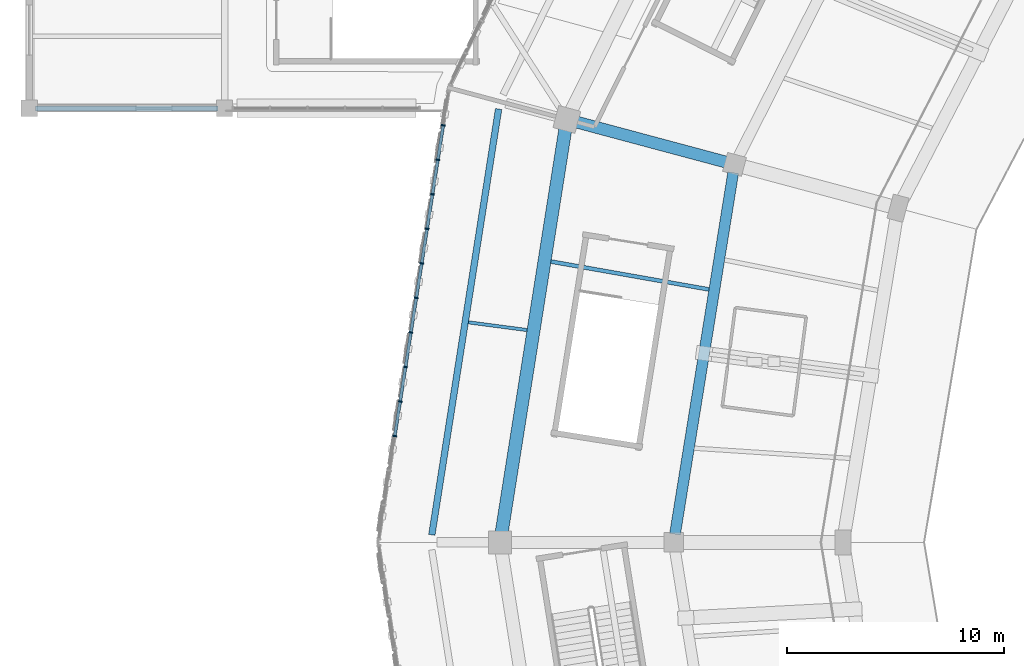
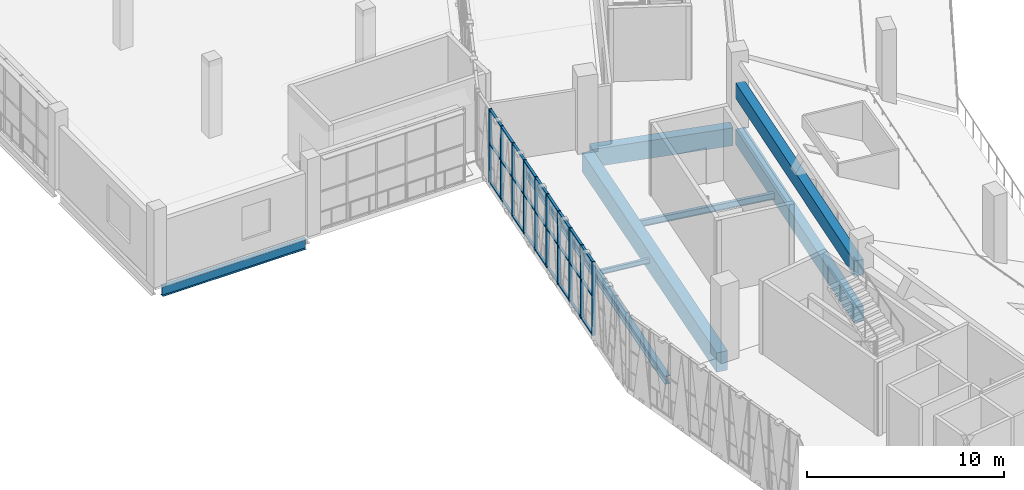
# One storey, part 21 of 152: 37 members, 8 beams, 1 element without a shape of its own.
"""IFC4 building model written with IfcOpenShell, lengths in metres."""

from ifc_helpers import new_model, si_unit, direction, frame, origin, origin_2d, place, context, subcontext, project, spatial, rectangle, i_section, extrude, material, material_profile, profile_set, type_object, element, aggregate, save


model = new_model("IFC4")

# Units and contexts
model_context = context("Model", 3, precision=1e-05, world=origin(), true_north=direction((0.0, 1.0)))
body_context = subcontext(model_context, "Body", "Model", "MODEL_VIEW")
ifc_project = project(units=[si_unit("LENGTHUNIT", "METRE"), si_unit("AREAUNIT", "SQUARE_METRE"), si_unit("VOLUMEUNIT", "CUBIC_METRE"), si_unit("PLANEANGLEUNIT", "RADIAN"), si_unit("MASSUNIT", "GRAM", prefix="KILO")], contexts=[model_context])

# Site, building, storey
site_placement = place(None, origin())
site = spatial("IfcSite", under=ifc_project, at=site_placement, CompositionType="ELEMENT")
building_placement = place(site_placement, origin())
building = spatial("IfcBuilding", under=site, at=building_placement, Name="Zevraka Park Crest Stadium", CompositionType="ELEMENT")
storey_placement = place(building_placement, frame((0.0, 0.0, 15.0)))
storey = spatial("IfcBuildingStorey", under=building, at=storey_placement, Name="L03", CompositionType="ELEMENT", Elevation=15.0)

# Beams
ifc_material_1 = material(Name="Concrete C40/50", Category="concrete")
ifc_material_profile_1 = material_profile(ifc_material_1, rectangle(XDim=0.550048828125, YDim=1.10009765625, at=origin_2d()), Name="RC 1100x550")
ifc_profile_set_1 = profile_set([ifc_material_profile_1], Name="Concrete C40/50")
beam_type_1 = type_object("IfcBeamType", Name="BG02", PredefinedType="BEAM", material=ifc_profile_set_1)
beam_1_placement = place(storey_placement, frame((32.214111328125, 109.4970703125, -0.56005859375), z_axis=(-0.965968812251, 0.258658565986, 0.0), x_axis=(-0.258658565986, -0.965968812251, 0.0)))
element("IfcBeam", 1, at=beam_1_placement, inside=storey, type_object=beam_type_1, Name="Radial Girder BG02 L03-CD-11", PredefinedType="BEAM", context=body_context, shape_type="SweptSolid", body=[
    extrude(rectangle(XDim=0.550048828125, YDim=1.10009765625, at=origin_2d()), origin(), (0.0, 0.0, 1.0), 7.39892578125),
])
ifc_material_2 = material(Name="Steel S355", Category="steel")
ifc_material_profile_2 = material_profile(ifc_material_2, i_section(OverallWidth=0.22900390625, OverallDepth=0.612060546875, WebThickness=0.011962890625, FlangeThickness=0.01953125, at=origin_2d()), Name="UKB 610x229x125")
ifc_profile_set_2 = profile_set([ifc_material_profile_2], Name="Steel S355")
beam_type_2 = type_object("IfcBeamType", Name="BG09", PredefinedType="BEAM", material=ifc_profile_set_2)
beam_2_placement = place(storey_placement, frame((0.300048828125, 112.0, -0.614013671875), z_axis=(1.0, 0.0, 0.0), x_axis=(0.0, 1.0, 0.0)))
element("IfcBeam", 2, at=beam_2_placement, inside=storey, type_object=beam_type_2, Name="Wing Girder BG09 L03-12/N", PredefinedType="BEAM", context=body_context, shape_type="SweptSolid", body=[
    extrude(i_section(OverallWidth=0.22900390625, OverallDepth=0.612060546875, WebThickness=0.011962890625, FlangeThickness=0.01953125, at=origin_2d()), origin(), (0.0, 0.0, 1.0), 8.39990234375),
])

# Curtain wall, members
ifc_material_3 = material(Name="Anodised architectural aluminium and laminated safety glass", Category="aluminium")
curtain_wall_type = type_object("IfcCurtainWallType", Name="CW11", PredefinedType="NOTDEFINED", material=ifc_material_3)
curtain_wall_placement = place(storey_placement, origin())
curtain_wall = element("IfcCurtainWall", 3, at=curtain_wall_placement, inside=storey, type_object=curtain_wall_type, Name="Unitised Ring Curtain Wall CW11 L03-11", PredefinedType="NOTDEFINED")
ifc_material_4 = material(Name="Anodised architectural aluminium", Category="aluminium")
ifc_material_profile_3 = material_profile(ifc_material_4, rectangle(XDim=0.179931640625, YDim=0.06494140625, at=origin_2d()), Name="ALU MULLION 180x65")
ifc_profile_set_3 = profile_set([ifc_material_profile_3], Name="Anodised architectural aluminium")
member_type_1 = type_object("IfcMemberType", Name="CM02", PredefinedType="MULLION", material=ifc_profile_set_3)
member_1_placement = place(storey_placement, frame((19.079833984375, 111.2216796875, 0.0), z_axis=(0.0, 0.0, 1.0), x_axis=(0.988050931267, -0.154127730222, 0.0)))
member_1 = element("IfcMember", 4, at=member_1_placement, type_object=member_type_1, Name="CW11 mullion 2", PredefinedType="MULLION", context=body_context, shape_type="SweptSolid", body=[
    extrude(rectangle(XDim=0.179931640625, YDim=0.06494140625, at=origin_2d()), origin(), (0.0, 0.0, 1.0), 4.5400390625),
])
member_2_placement = place(storey_placement, frame((18.83154296875, 109.63037109375, 0.0), z_axis=(0.0, 0.0, 1.0), x_axis=(0.988050931267, -0.154127730222, 0.0)))
member_2 = element("IfcMember", 5, at=member_2_placement, type_object=member_type_1, Name="CW11 mullion 3", PredefinedType="MULLION", context=body_context, shape_type="SweptSolid", body=[
    extrude(rectangle(XDim=0.179931640625, YDim=0.06494140625, at=origin_2d()), origin(), (0.0, 0.0, 1.0), 4.5400390625),
])
member_3_placement = place(storey_placement, frame((18.583251953125, 108.0390625, 0.0), z_axis=(0.0, 0.0, 1.0), x_axis=(0.988050931267, -0.154127730222, 0.0)))
member_3 = element("IfcMember", 6, at=member_3_placement, type_object=member_type_1, Name="CW11 mullion 4", PredefinedType="MULLION", context=body_context, shape_type="SweptSolid", body=[
    extrude(rectangle(XDim=0.179931640625, YDim=0.06494140625, at=origin_2d()), origin(), (0.0, 0.0, 1.0), 4.5400390625),
])
member_4_placement = place(storey_placement, frame((18.3349609375, 106.44775390625, 0.0), z_axis=(0.0, 0.0, 1.0), x_axis=(0.988050931267, -0.154127730222, 0.0)))
member_4 = element("IfcMember", 7, at=member_4_placement, type_object=member_type_1, Name="CW11 mullion 5", PredefinedType="MULLION", context=body_context, shape_type="SweptSolid", body=[
    extrude(rectangle(XDim=0.179931640625, YDim=0.06494140625, at=origin_2d()), origin(), (0.0, 0.0, 1.0), 4.5400390625),
])
member_5_placement = place(storey_placement, frame((18.0869140625, 104.8564453125, 0.0), z_axis=(0.0, 0.0, 1.0), x_axis=(0.988050931267, -0.154127730222, 0.0)))
member_5 = element("IfcMember", 8, at=member_5_placement, type_object=member_type_1, Name="CW11 mullion 6", PredefinedType="MULLION", context=body_context, shape_type="SweptSolid", body=[
    extrude(rectangle(XDim=0.179931640625, YDim=0.06494140625, at=origin_2d()), origin(), (0.0, 0.0, 1.0), 4.5400390625),
])
member_6_placement = place(storey_placement, frame((17.838623046875, 103.26513671875, 0.0), z_axis=(0.0, 0.0, 1.0), x_axis=(0.988050931267, -0.154127730222, 0.0)))
member_6 = element("IfcMember", 9, at=member_6_placement, type_object=member_type_1, Name="CW11 mullion 7", PredefinedType="MULLION", context=body_context, shape_type="SweptSolid", body=[
    extrude(rectangle(XDim=0.179931640625, YDim=0.06494140625, at=origin_2d()), origin(), (0.0, 0.0, 1.0), 4.5400390625),
])
member_7_placement = place(storey_placement, frame((17.59033203125, 101.673828125, 0.0), z_axis=(0.0, 0.0, 1.0), x_axis=(0.988050931267, -0.154127730222, 0.0)))
member_7 = element("IfcMember", 10, at=member_7_placement, type_object=member_type_1, Name="CW11 mullion 8", PredefinedType="MULLION", context=body_context, shape_type="SweptSolid", body=[
    extrude(rectangle(XDim=0.179931640625, YDim=0.06494140625, at=origin_2d()), origin(), (0.0, 0.0, 1.0), 4.5400390625),
])
member_8_placement = place(storey_placement, frame((17.342041015625, 100.08251953125, 0.0), z_axis=(0.0, 0.0, 1.0), x_axis=(0.988050931267, -0.154127730222, 0.0)))
member_8 = element("IfcMember", 11, at=member_8_placement, type_object=member_type_1, Name="CW11 mullion 9", PredefinedType="MULLION", context=body_context, shape_type="SweptSolid", body=[
    extrude(rectangle(XDim=0.179931640625, YDim=0.06494140625, at=origin_2d()), origin(), (0.0, 0.0, 1.0), 4.5400390625),
])
member_9_placement = place(storey_placement, frame((17.093994140625, 98.4912109375, 0.0), z_axis=(0.0, 0.0, 1.0), x_axis=(0.988050931267, -0.154127730222, 0.0)))
member_9 = element("IfcMember", 12, at=member_9_placement, type_object=member_type_1, Name="CW11 mullion 10", PredefinedType="MULLION", context=body_context, shape_type="SweptSolid", body=[
    extrude(rectangle(XDim=0.179931640625, YDim=0.06494140625, at=origin_2d()), origin(), (0.0, 0.0, 1.0), 4.5400390625),
])
member_10_placement = place(storey_placement, frame((16.845703125, 96.89990234375, 0.0), z_axis=(0.0, 0.0, 1.0), x_axis=(0.988050931267, -0.154127730222, 0.0)))
member_10 = element("IfcMember", 13, at=member_10_placement, type_object=member_type_1, Name="CW11 mullion 11", PredefinedType="MULLION", context=body_context, shape_type="SweptSolid", body=[
    extrude(rectangle(XDim=0.179931640625, YDim=0.06494140625, at=origin_2d()), origin(), (0.0, 0.0, 1.0), 4.5400390625),
])
ifc_material_5 = material(Name="Anodised architectural aluminium", Category="aluminium")
ifc_material_profile_4 = material_profile(ifc_material_5, rectangle(XDim=0.139892578125, YDim=0.06494140625, at=origin_2d()), Name="ALU TRANSOM 140x65")
ifc_profile_set_4 = profile_set([ifc_material_profile_4], Name="Anodised architectural aluminium")
member_type_2 = type_object("IfcMemberType", Name="CT02", PredefinedType="USERDEFINED", material=ifc_profile_set_4)
member_11_placement = place(storey_placement, frame((19.07470703125, 111.189697265625, 0.032470703125), z_axis=(-0.154169675764, -0.988044387199, 0.0), x_axis=(0.988044387199, -0.154169675764, 0.0)))
member_11 = element("IfcMember", 14, at=member_11_placement, type_object=member_type_2, Name="CW11 transom 2.1", ObjectType="TRANSOM", PredefinedType="USERDEFINED", context=body_context, shape_type="SweptSolid", body=[
    extrude(rectangle(XDim=0.139892578125, YDim=0.06494140625, at=origin_2d()), origin(), (0.0, 0.0, 1.0), 1.545654296875),
])
member_12_placement = place(storey_placement, frame((19.07470703125, 111.189697265625, 2.39990234375), z_axis=(-0.154169675764, -0.988044387199, 0.0), x_axis=(0.988044387199, -0.154169675764, 0.0)))
member_12 = element("IfcMember", 15, at=member_12_placement, type_object=member_type_2, Name="CW11 transom 2.2", ObjectType="TRANSOM", PredefinedType="USERDEFINED", context=body_context, shape_type="SweptSolid", body=[
    extrude(rectangle(XDim=0.139892578125, YDim=0.06494140625, at=origin_2d()), origin(), (0.0, 0.0, 1.0), 1.545654296875),
])
member_13_placement = place(storey_placement, frame((19.07470703125, 111.189697265625, 4.507568359375), z_axis=(-0.154169675764, -0.988044387199, 0.0), x_axis=(0.988044387199, -0.154169675764, 0.0)))
member_13 = element("IfcMember", 16, at=member_13_placement, type_object=member_type_2, Name="CW11 transom 2.3", ObjectType="TRANSOM", PredefinedType="USERDEFINED", context=body_context, shape_type="SweptSolid", body=[
    extrude(rectangle(XDim=0.139892578125, YDim=0.06494140625, at=origin_2d()), origin(), (0.0, 0.0, 1.0), 1.545654296875),
])
member_14_placement = place(storey_placement, frame((18.826416015625, 109.598388671875, 0.032470703125), z_axis=(-0.154015463856, -0.988068437353, 0.0), x_axis=(0.988068437353, -0.154015463856, 0.0)))
member_14 = element("IfcMember", 17, at=member_14_placement, type_object=member_type_2, Name="CW11 transom 3.1", ObjectType="TRANSOM", PredefinedType="USERDEFINED", context=body_context, shape_type="SweptSolid", body=[
    extrude(rectangle(XDim=0.139892578125, YDim=0.06494140625, at=origin_2d()), origin(), (0.0, 0.0, 1.0), 1.545654296875),
])
member_15_placement = place(storey_placement, frame((18.826416015625, 109.598388671875, 2.39990234375), z_axis=(-0.154015463856, -0.988068437353, 0.0), x_axis=(0.988068437353, -0.154015463856, 0.0)))
member_15 = element("IfcMember", 18, at=member_15_placement, type_object=member_type_2, Name="CW11 transom 3.2", ObjectType="TRANSOM", PredefinedType="USERDEFINED", context=body_context, shape_type="SweptSolid", body=[
    extrude(rectangle(XDim=0.139892578125, YDim=0.06494140625, at=origin_2d()), origin(), (0.0, 0.0, 1.0), 1.545654296875),
])
member_16_placement = place(storey_placement, frame((18.826416015625, 109.598388671875, 4.507568359375), z_axis=(-0.154015463856, -0.988068437353, 0.0), x_axis=(0.988068437353, -0.154015463856, 0.0)))
member_16 = element("IfcMember", 19, at=member_16_placement, type_object=member_type_2, Name="CW11 transom 3.3", ObjectType="TRANSOM", PredefinedType="USERDEFINED", context=body_context, shape_type="SweptSolid", body=[
    extrude(rectangle(XDim=0.139892578125, YDim=0.06494140625, at=origin_2d()), origin(), (0.0, 0.0, 1.0), 1.545654296875),
])
member_17_placement = place(storey_placement, frame((18.578369140625, 108.007080078125, 0.032470703125), z_axis=(-0.154169675764, -0.988044387199, 0.0), x_axis=(0.988044387199, -0.154169675764, 0.0)))
member_17 = element("IfcMember", 20, at=member_17_placement, type_object=member_type_2, Name="CW11 transom 4.1", ObjectType="TRANSOM", PredefinedType="USERDEFINED", context=body_context, shape_type="SweptSolid", body=[
    extrude(rectangle(XDim=0.139892578125, YDim=0.06494140625, at=origin_2d()), origin(), (0.0, 0.0, 1.0), 1.545654296875),
])
member_18_placement = place(storey_placement, frame((18.578369140625, 108.007080078125, 2.39990234375), z_axis=(-0.154169675764, -0.988044387199, 0.0), x_axis=(0.988044387199, -0.154169675764, 0.0)))
member_18 = element("IfcMember", 21, at=member_18_placement, type_object=member_type_2, Name="CW11 transom 4.2", ObjectType="TRANSOM", PredefinedType="USERDEFINED", context=body_context, shape_type="SweptSolid", body=[
    extrude(rectangle(XDim=0.139892578125, YDim=0.06494140625, at=origin_2d()), origin(), (0.0, 0.0, 1.0), 1.545654296875),
])
member_19_placement = place(storey_placement, frame((18.578369140625, 108.007080078125, 4.507568359375), z_axis=(-0.154169675764, -0.988044387199, 0.0), x_axis=(0.988044387199, -0.154169675764, 0.0)))
member_19 = element("IfcMember", 22, at=member_19_placement, type_object=member_type_2, Name="CW11 transom 4.3", ObjectType="TRANSOM", PredefinedType="USERDEFINED", context=body_context, shape_type="SweptSolid", body=[
    extrude(rectangle(XDim=0.139892578125, YDim=0.06494140625, at=origin_2d()), origin(), (0.0, 0.0, 1.0), 1.545654296875),
])
member_20_placement = place(storey_placement, frame((18.330078125, 106.415771484375, 0.032470703125), z_axis=(-0.154169675764, -0.988044387199, 0.0), x_axis=(0.988044387199, -0.154169675764, 0.0)))
member_20 = element("IfcMember", 23, at=member_20_placement, type_object=member_type_2, Name="CW11 transom 5.1", ObjectType="TRANSOM", PredefinedType="USERDEFINED", context=body_context, shape_type="SweptSolid", body=[
    extrude(rectangle(XDim=0.139892578125, YDim=0.06494140625, at=origin_2d()), origin(), (0.0, 0.0, 1.0), 1.545654296875),
])
member_21_placement = place(storey_placement, frame((18.330078125, 106.415771484375, 2.39990234375), z_axis=(-0.154169675764, -0.988044387199, 0.0), x_axis=(0.988044387199, -0.154169675764, 0.0)))
member_21 = element("IfcMember", 24, at=member_21_placement, type_object=member_type_2, Name="CW11 transom 5.2", ObjectType="TRANSOM", PredefinedType="USERDEFINED", context=body_context, shape_type="SweptSolid", body=[
    extrude(rectangle(XDim=0.139892578125, YDim=0.06494140625, at=origin_2d()), origin(), (0.0, 0.0, 1.0), 1.545654296875),
])
member_22_placement = place(storey_placement, frame((18.330078125, 106.415771484375, 4.507568359375), z_axis=(-0.154169675764, -0.988044387199, 0.0), x_axis=(0.988044387199, -0.154169675764, 0.0)))
member_22 = element("IfcMember", 25, at=member_22_placement, type_object=member_type_2, Name="CW11 transom 5.3", ObjectType="TRANSOM", PredefinedType="USERDEFINED", context=body_context, shape_type="SweptSolid", body=[
    extrude(rectangle(XDim=0.139892578125, YDim=0.06494140625, at=origin_2d()), origin(), (0.0, 0.0, 1.0), 1.545654296875),
])
member_23_placement = place(storey_placement, frame((18.081787109375, 104.824462890625, 0.032470703125), z_axis=(-0.154169675764, -0.988044387199, 0.0), x_axis=(0.988044387199, -0.154169675764, 0.0)))
member_23 = element("IfcMember", 26, at=member_23_placement, type_object=member_type_2, Name="CW11 transom 6.1", ObjectType="TRANSOM", PredefinedType="USERDEFINED", context=body_context, shape_type="SweptSolid", body=[
    extrude(rectangle(XDim=0.139892578125, YDim=0.06494140625, at=origin_2d()), origin(), (0.0, 0.0, 1.0), 1.545654296875),
])
member_24_placement = place(storey_placement, frame((18.081787109375, 104.824462890625, 2.39990234375), z_axis=(-0.154169675764, -0.988044387199, 0.0), x_axis=(0.988044387199, -0.154169675764, 0.0)))
member_24 = element("IfcMember", 27, at=member_24_placement, type_object=member_type_2, Name="CW11 transom 6.2", ObjectType="TRANSOM", PredefinedType="USERDEFINED", context=body_context, shape_type="SweptSolid", body=[
    extrude(rectangle(XDim=0.139892578125, YDim=0.06494140625, at=origin_2d()), origin(), (0.0, 0.0, 1.0), 1.545654296875),
])
member_25_placement = place(storey_placement, frame((18.081787109375, 104.824462890625, 4.507568359375), z_axis=(-0.154169675764, -0.988044387199, 0.0), x_axis=(0.988044387199, -0.154169675764, 0.0)))
member_25 = element("IfcMember", 28, at=member_25_placement, type_object=member_type_2, Name="CW11 transom 6.3", ObjectType="TRANSOM", PredefinedType="USERDEFINED", context=body_context, shape_type="SweptSolid", body=[
    extrude(rectangle(XDim=0.139892578125, YDim=0.06494140625, at=origin_2d()), origin(), (0.0, 0.0, 1.0), 1.545654296875),
])
member_26_placement = place(storey_placement, frame((17.83349609375, 103.233154296875, 0.032470703125), z_axis=(-0.154015463856, -0.988068437353, 0.0), x_axis=(0.988068437353, -0.154015463856, 0.0)))
member_26 = element("IfcMember", 29, at=member_26_placement, type_object=member_type_2, Name="CW11 transom 7.1", ObjectType="TRANSOM", PredefinedType="USERDEFINED", context=body_context, shape_type="SweptSolid", body=[
    extrude(rectangle(XDim=0.139892578125, YDim=0.06494140625, at=origin_2d()), origin(), (0.0, 0.0, 1.0), 1.545654296875),
])
member_27_placement = place(storey_placement, frame((17.83349609375, 103.233154296875, 2.39990234375), z_axis=(-0.154015463856, -0.988068437353, 0.0), x_axis=(0.988068437353, -0.154015463856, 0.0)))
member_27 = element("IfcMember", 30, at=member_27_placement, type_object=member_type_2, Name="CW11 transom 7.2", ObjectType="TRANSOM", PredefinedType="USERDEFINED", context=body_context, shape_type="SweptSolid", body=[
    extrude(rectangle(XDim=0.139892578125, YDim=0.06494140625, at=origin_2d()), origin(), (0.0, 0.0, 1.0), 1.545654296875),
])
member_28_placement = place(storey_placement, frame((17.83349609375, 103.233154296875, 4.507568359375), z_axis=(-0.154015463856, -0.988068437353, 0.0), x_axis=(0.988068437353, -0.154015463856, 0.0)))
member_28 = element("IfcMember", 31, at=member_28_placement, type_object=member_type_2, Name="CW11 transom 7.3", ObjectType="TRANSOM", PredefinedType="USERDEFINED", context=body_context, shape_type="SweptSolid", body=[
    extrude(rectangle(XDim=0.139892578125, YDim=0.06494140625, at=origin_2d()), origin(), (0.0, 0.0, 1.0), 1.545654296875),
])
member_29_placement = place(storey_placement, frame((17.58544921875, 101.641845703125, 0.032470703125), z_axis=(-0.154169675764, -0.988044387199, 0.0), x_axis=(0.988044387199, -0.154169675764, 0.0)))
member_29 = element("IfcMember", 32, at=member_29_placement, type_object=member_type_2, Name="CW11 transom 8.1", ObjectType="TRANSOM", PredefinedType="USERDEFINED", context=body_context, shape_type="SweptSolid", body=[
    extrude(rectangle(XDim=0.139892578125, YDim=0.06494140625, at=origin_2d()), origin(), (0.0, 0.0, 1.0), 1.545654296875),
])
member_30_placement = place(storey_placement, frame((17.58544921875, 101.641845703125, 2.39990234375), z_axis=(-0.154169675764, -0.988044387199, 0.0), x_axis=(0.988044387199, -0.154169675764, 0.0)))
member_30 = element("IfcMember", 33, at=member_30_placement, type_object=member_type_2, Name="CW11 transom 8.2", ObjectType="TRANSOM", PredefinedType="USERDEFINED", context=body_context, shape_type="SweptSolid", body=[
    extrude(rectangle(XDim=0.139892578125, YDim=0.06494140625, at=origin_2d()), origin(), (0.0, 0.0, 1.0), 1.545654296875),
])
member_31_placement = place(storey_placement, frame((17.58544921875, 101.641845703125, 4.507568359375), z_axis=(-0.154169675764, -0.988044387199, 0.0), x_axis=(0.988044387199, -0.154169675764, 0.0)))
member_31 = element("IfcMember", 34, at=member_31_placement, type_object=member_type_2, Name="CW11 transom 8.3", ObjectType="TRANSOM", PredefinedType="USERDEFINED", context=body_context, shape_type="SweptSolid", body=[
    extrude(rectangle(XDim=0.139892578125, YDim=0.06494140625, at=origin_2d()), origin(), (0.0, 0.0, 1.0), 1.545654296875),
])
member_32_placement = place(storey_placement, frame((17.337158203125, 100.050537109375, 0.032470703125), z_axis=(-0.154169675764, -0.988044387199, 0.0), x_axis=(0.988044387199, -0.154169675764, 0.0)))
member_32 = element("IfcMember", 35, at=member_32_placement, type_object=member_type_2, Name="CW11 transom 9.1", ObjectType="TRANSOM", PredefinedType="USERDEFINED", context=body_context, shape_type="SweptSolid", body=[
    extrude(rectangle(XDim=0.139892578125, YDim=0.06494140625, at=origin_2d()), origin(), (0.0, 0.0, 1.0), 1.545654296875),
])
member_33_placement = place(storey_placement, frame((17.337158203125, 100.050537109375, 2.39990234375), z_axis=(-0.154169675764, -0.988044387199, 0.0), x_axis=(0.988044387199, -0.154169675764, 0.0)))
member_33 = element("IfcMember", 36, at=member_33_placement, type_object=member_type_2, Name="CW11 transom 9.2", ObjectType="TRANSOM", PredefinedType="USERDEFINED", context=body_context, shape_type="SweptSolid", body=[
    extrude(rectangle(XDim=0.139892578125, YDim=0.06494140625, at=origin_2d()), origin(), (0.0, 0.0, 1.0), 1.545654296875),
])
member_34_placement = place(storey_placement, frame((17.337158203125, 100.050537109375, 4.507568359375), z_axis=(-0.154169675764, -0.988044387199, 0.0), x_axis=(0.988044387199, -0.154169675764, 0.0)))
member_34 = element("IfcMember", 37, at=member_34_placement, type_object=member_type_2, Name="CW11 transom 9.3", ObjectType="TRANSOM", PredefinedType="USERDEFINED", context=body_context, shape_type="SweptSolid", body=[
    extrude(rectangle(XDim=0.139892578125, YDim=0.06494140625, at=origin_2d()), origin(), (0.0, 0.0, 1.0), 1.545654296875),
])
member_35_placement = place(storey_placement, frame((17.0888671875, 98.459228515625, 0.032470703125), z_axis=(-0.154169675764, -0.988044387199, 0.0), x_axis=(0.988044387199, -0.154169675764, 0.0)))
member_35 = element("IfcMember", 38, at=member_35_placement, type_object=member_type_2, Name="CW11 transom 10.1", ObjectType="TRANSOM", PredefinedType="USERDEFINED", context=body_context, shape_type="SweptSolid", body=[
    extrude(rectangle(XDim=0.139892578125, YDim=0.06494140625, at=origin_2d()), origin(), (0.0, 0.0, 1.0), 1.545654296875),
])
member_36_placement = place(storey_placement, frame((17.0888671875, 98.459228515625, 2.39990234375), z_axis=(-0.154169675764, -0.988044387199, 0.0), x_axis=(0.988044387199, -0.154169675764, 0.0)))
member_36 = element("IfcMember", 39, at=member_36_placement, type_object=member_type_2, Name="CW11 transom 10.2", ObjectType="TRANSOM", PredefinedType="USERDEFINED", context=body_context, shape_type="SweptSolid", body=[
    extrude(rectangle(XDim=0.139892578125, YDim=0.06494140625, at=origin_2d()), origin(), (0.0, 0.0, 1.0), 1.545654296875),
])
member_37_placement = place(storey_placement, frame((17.0888671875, 98.459228515625, 4.507568359375), z_axis=(-0.154169675764, -0.988044387199, 0.0), x_axis=(0.988044387199, -0.154169675764, 0.0)))
member_37 = element("IfcMember", 40, at=member_37_placement, type_object=member_type_2, Name="CW11 transom 10.3", ObjectType="TRANSOM", PredefinedType="USERDEFINED", context=body_context, shape_type="SweptSolid", body=[
    extrude(rectangle(XDim=0.139892578125, YDim=0.06494140625, at=origin_2d()), origin(), (0.0, 0.0, 1.0), 1.545654296875),
])
aggregate(curtain_wall, [member_1, member_2, member_3, member_4, member_5, member_6, member_7, member_8, member_9, member_10, member_11, member_12, member_13, member_14, member_15, member_16, member_17, member_18, member_19, member_20, member_21, member_22, member_23, member_24, member_25, member_26, member_27, member_28, member_29, member_30, member_31, member_32, member_33, member_34, member_35, member_36, member_37])

# Beams
ifc_material_6 = material(Name="Concrete C40/50", Category="concrete")
ifc_material_profile_5 = material_profile(ifc_material_6, rectangle(XDim=0.60009765625, YDim=1.199951171875, at=origin_2d()), Name="RC 1200x600")
ifc_profile_set_5 = profile_set([ifc_material_profile_5], Name="Concrete C40/50")
beam_type_3 = type_object("IfcBeamType", Name="RB01", PredefinedType="BEAM", material=ifc_profile_set_5)
beam_3_placement = place(storey_placement, frame((24.718017578125, 111.114013671875, -0.610107421875), z_axis=(-0.155972486086, -0.987761400129, 0.0), x_axis=(0.987761400129, -0.155972486086, 0.0)))
element("IfcBeam", 41, at=beam_3_placement, inside=storey, type_object=beam_type_3, Name="Ring Beam RB01 L03-D-11", PredefinedType="BEAM", context=body_context, shape_type="SweptSolid", body=[
    extrude(rectangle(XDim=0.60009765625, YDim=1.199951171875, at=origin_2d()), origin(), (0.0, 0.0, 1.0), 18.97119140625),
])
ifc_material_7 = material(Name="Concrete C40/50", Category="concrete")
ifc_material_profile_6 = material_profile(ifc_material_7, rectangle(XDim=0.5, YDim=0.949951171875, at=origin_2d()), Name="RC 950x500")
ifc_profile_set_6 = profile_set([ifc_material_profile_6], Name="Concrete C40/50")
beam_type_4 = type_object("IfcBeamType", Name="RB02", PredefinedType="BEAM", material=ifc_profile_set_6)
for number, where, z_axis, x_axis, name in (
    (42, (32.444091796875, 109.0439453125, -0.485107421875), (-0.158975112778, -0.987282590507, 0.0), (0.987282590507, -0.158975112778, 0.0), "Ring Beam RB02 L03-C-11"),
    (43, (32.444091796875, 109.0439453125, 2.375), (-0.158975112778, -0.987282590507, 0.0), (0.987282590507, -0.158975112778, 0.0), "Upper Tier Head Raker Ring Beam RB02 11"),
):
    element("IfcBeam", number, at=place(storey_placement, frame(where, z_axis=z_axis, x_axis=x_axis)), inside=storey, type_object=beam_type_4, Name=name, PredefinedType="BEAM", context=body_context, shape_type="SweptSolid", body=[
        extrude(rectangle(XDim=0.5, YDim=0.949951171875, at=origin_2d()), origin(), (0.0, 0.0, 1.0), 16.883544921875),
    ])
ifc_material_8 = material(Name="Steel S355", Category="steel")
ifc_material_profile_7 = material_profile(ifc_material_8, i_section(OverallWidth=0.300048828125, OverallDepth=0.5, WebThickness=0.014404296875, FlangeThickness=0.028076171875, at=origin_2d()), Name="HEB 500")
ifc_profile_set_7 = profile_set([ifc_material_profile_7], Name="Steel S355")
beam_type_5 = type_object("IfcBeamType", Name="RB05", PredefinedType="BEAM", material=ifc_profile_set_7)
beam_4_placement = place(storey_placement, frame((21.632080078125, 111.970947265625, -0.60498046875), z_axis=(-0.154952716421, -0.987921887435, 0.0), x_axis=(0.987921887435, -0.154952716421, 0.0)))
element("IfcBeam", 44, at=beam_4_placement, inside=storey, type_object=beam_type_5, Name="Ring Beam RB05 L03-E-11", PredefinedType="BEAM", context=body_context, shape_type="SweptSolid", body=[
    extrude(i_section(OverallWidth=0.300048828125, OverallDepth=0.5, WebThickness=0.014404296875, FlangeThickness=0.028076171875, at=origin_2d()), origin(), (0.0, 0.0, 1.0), 19.864990234375),
])
ifc_material_9 = material(Name="Steel S355", Category="steel")
ifc_material_profile_8 = material_profile(ifc_material_9, i_section(OverallWidth=0.14990234375, OverallDepth=0.300048828125, WebThickness=0.007080078125, FlangeThickness=0.0107421875, at=origin_2d()), Name="IPE 300")
ifc_profile_set_8 = profile_set([ifc_material_profile_8], Name="Steel S355")
beam_type_6 = type_object("IfcBeamType", Name="SJ01", PredefinedType="JOIST", material=ifc_profile_set_8)
beam_5_placement = place(storey_placement, frame((22.946044921875, 101.782958984375, -0.4580078125), z_axis=(-0.991431166896, 0.130630169971, 0.0), x_axis=(-0.130630169971, -0.991431166896, 0.0)))
element("IfcBeam", 45, at=beam_5_placement, inside=storey, type_object=beam_type_6, Name="Floor Joist SJ01 L03-DE-11-1", PredefinedType="JOIST", context=body_context, shape_type="SweptSolid", body=[
    extrude(i_section(OverallWidth=0.14990234375, OverallDepth=0.300048828125, WebThickness=0.007080078125, FlangeThickness=0.0107421875, at=origin_2d()), origin(), (0.0, 0.0, 1.0), 2.732421875),
])
ifc_material_10 = material(Name="Steel S355", Category="steel")
ifc_material_profile_9 = material_profile(ifc_material_10, i_section(OverallWidth=0.179931640625, OverallDepth=0.39990234375, WebThickness=0.008544921875, FlangeThickness=0.013427734375, at=origin_2d()), Name="IPE 400")
ifc_profile_set_9 = profile_set([ifc_material_profile_9], Name="Steel S355")
beam_type_7 = type_object("IfcBeamType", Name="SJ09", PredefinedType="JOIST", material=ifc_profile_set_9)
beam_6_placement = place(storey_placement, frame((31.327880859375, 103.655029296875, -0.508056640625), z_axis=(-0.984780236621, 0.17380415864, 0.0), x_axis=(-0.17380415864, -0.984780236621, 0.0)))
element("IfcBeam", 46, at=beam_6_placement, inside=storey, type_object=beam_type_7, Name="Floor Joist SJ09 L03-CD-11-1", PredefinedType="JOIST", context=body_context, shape_type="SweptSolid", body=[
    extrude(i_section(OverallWidth=0.179931640625, OverallDepth=0.39990234375, WebThickness=0.008544921875, FlangeThickness=0.013427734375, at=origin_2d()), origin(), (0.0, 0.0, 1.0), 7.3984375),
])

save(model, "model.ifc")
